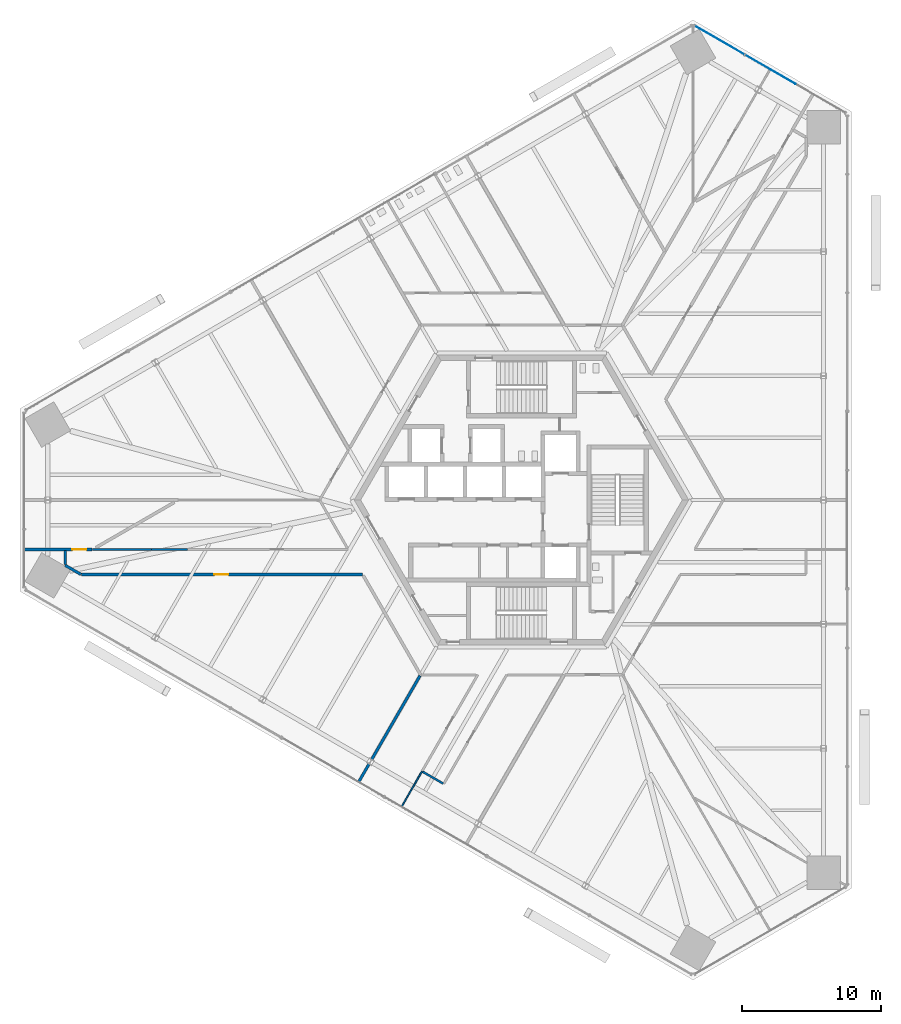
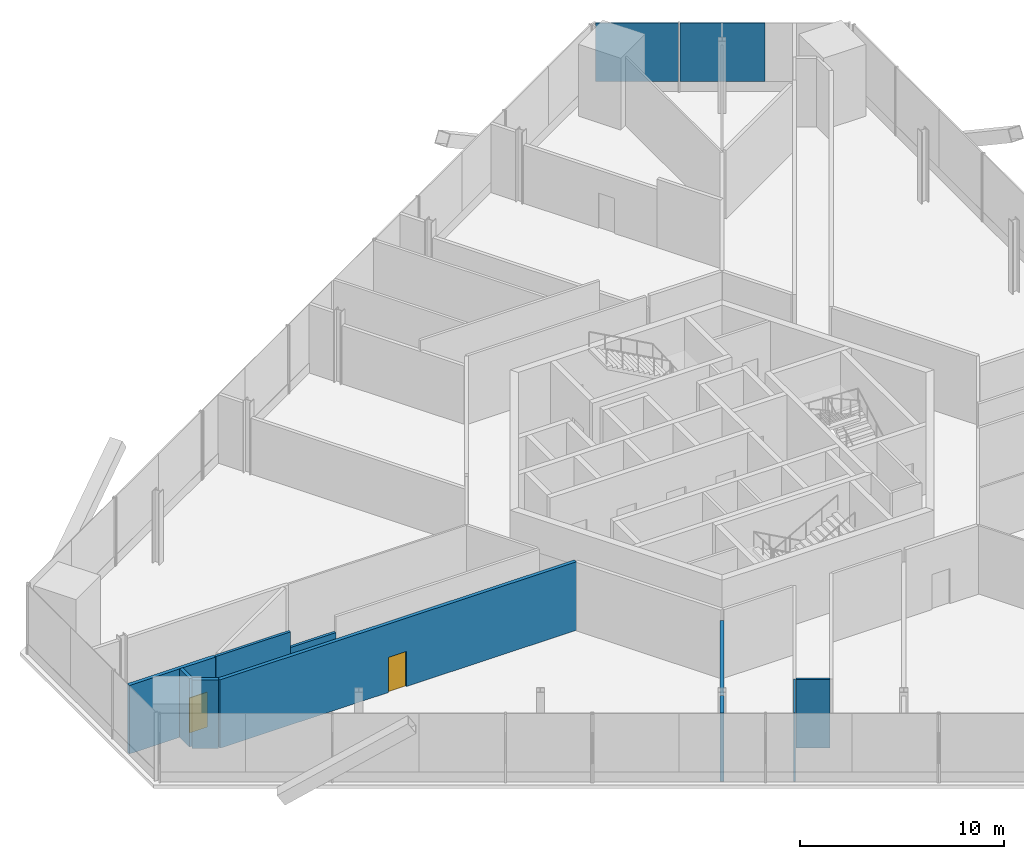
# One storey, part 10 of 16: 10 walls, 2 doors, 2 plates, 2 openings, 1 element without a shape of its own.
"""IFC4 building model written with IfcOpenShell, lengths in metres."""

from ifc_helpers import new_model, si_unit, direction, frame, frame_2d, origin, origin_2d, place, context, subcontext, project, spatial, rectangle, extrude, source, transform, mapped, material, layer, layer_set, type_object, element, fill, aggregate, save


model = new_model("IFC4")

# Units and contexts
model_context = context("Model", 3, precision=1e-05, world=origin(), true_north=direction((0.0, 1.0)))
body_context = subcontext(model_context, "Body", "Model", "MODEL_VIEW")
ifc_project = project(units=[si_unit("LENGTHUNIT", "METRE"), si_unit("AREAUNIT", "SQUARE_METRE"), si_unit("VOLUMEUNIT", "CUBIC_METRE"), si_unit("PLANEANGLEUNIT", "RADIAN"), si_unit("MASSUNIT", "GRAM", prefix="KILO")], contexts=[model_context])

# Site, building, storey
site_placement = place(None, origin())
site = spatial("IfcSite", under=ifc_project, at=site_placement, CompositionType="ELEMENT")
building_placement = place(site_placement, origin())
building = spatial("IfcBuilding", under=site, at=building_placement, Name="Triune Harvest Tower", CompositionType="ELEMENT")
storey_placement = place(building_placement, frame((0.0, 0.0, 20.300048828125)))
storey = spatial("IfcBuildingStorey", under=building, at=storey_placement, Name="L04", CompositionType="ELEMENT", Elevation=20.300048828125)

# Curtain wall, plates
ifc_material_1 = material(Name="Aluminium bronze anodised", Category="aluminium")
curtain_wall_type = type_object("IfcCurtainWallType", Name="CW-3 Farm floor curtain wall", PredefinedType="NOTDEFINED", material=ifc_material_1)
curtain_wall_placement = place(storey_placement, origin())
curtain_wall = element("IfcCurtainWall", 1, at=curtain_wall_placement, inside=storey, type_object=curtain_wall_type, Name="CW-3 B1-F2 L04 run 1")
ifc_material_2 = material(Name="Glass", Category="glass")
ifc_layer_1 = layer(ifc_material_2, 0.035888671875)
ifc_layer_set_1 = layer_set([ifc_layer_1], Name="Glass")
plate_type = type_object("IfcPlateType", Name="GL-3 panel 36", PredefinedType="CURTAIN_PANEL", material=ifc_layer_set_1)
shared_shape_1 = source(origin(), body_context, "Body", "SweptSolid", [
    extrude(rectangle(XDim=4.157958984375, YDim=0.035888671875, at=origin_2d()), origin(), (0.0, 0.0, 1.0), 3.5),
])
plate_1_placement = place(storey_placement, frame((17.857666015625, 30.89013671875, 0.599853515625), z_axis=(0.0, 0.0, 1.0), x_axis=(-0.866026145592, 0.499998715149, 0.0)))
plate_1 = element("IfcPlate", 2, at=plate_1_placement, type_object=plate_type, Name="CW-3 panel B1-F2 1.2", PredefinedType="CURTAIN_PANEL", context=body_context, shape_type="MappedRepresentation", body=[
    mapped(shared_shape_1, transform((0.0, 0.0, 0.0), scale=1.0)),
])
shared_shape_2 = source(origin(), body_context, "Body", "SweptSolid", [
    extrude(rectangle(XDim=4.077880859375, YDim=0.035888671875, at=origin_2d()), origin(), (0.0, 0.0, 1.0), 3.5),
])
plate_2_placement = place(storey_placement, frame((14.22216796875, 32.989013671875, 0.599853515625), z_axis=(0.0, 0.0, 1.0), x_axis=(-0.866026145592, 0.499998715149, 0.0)))
plate_2 = element("IfcPlate", 3, at=plate_2_placement, type_object=plate_type, Name="CW-3 panel B1-F2 1.3", PredefinedType="CURTAIN_PANEL", context=body_context, shape_type="MappedRepresentation", body=[
    mapped(shared_shape_2, transform((0.0, 0.0, 0.0), scale=1.0)),
])
aggregate(curtain_wall, [plate_1, plate_2])

# Walls
ifc_material_3 = material(Name="Gypsum board on steel studs", Category="steel")
ifc_layer_2 = layer(ifc_material_3, 0.199951171875)
ifc_layer_set_2 = layer_set([ifc_layer_2], Name="Gypsum board on steel studs")
wall_type_1 = type_object("IfcWallType", Name="Fire Wall 200 mm", PredefinedType="PARTITIONING", material=ifc_layer_set_2)
shared_shape_3 = source(origin(), body_context, "Body", "SweptSolid", [
    extrude(rectangle(XDim=1.49853515625, YDim=0.199951171875, at=frame_2d((0.749267578125, 0.0))), origin(), (0.0, 0.0, 1.0), 4.099853515625),
])
wall_1_placement = place(storey_placement, frame((-11.685546875, -20.240234375, 0.0), z_axis=(0.0, 0.0, 1.0), x_axis=(0.499976292358, 0.866039090965, 0.0)))
element("IfcWall", 4, at=wall_1_placement, inside=storey, type_object=wall_type_1, Name="Partition L04 054", PredefinedType="PARTITIONING", context=body_context, shape_type="MappedRepresentation", body=[
    mapped(shared_shape_3, transform((0.0, 0.0, 0.0), scale=1.0)),
])
shared_shape_4 = source(origin(), body_context, "Body", "SweptSolid", [
    extrude(rectangle(XDim=6.933837890625, YDim=0.199951171875, at=frame_2d((3.466796875, 0.0))), origin(), (0.0, 0.0, 1.0), 3.48779296875),
])
wall_2_placement = place(storey_placement, frame((-10.7431640625, -18.607666015625, 0.0), z_axis=(0.0, 0.0, 1.0), x_axis=(0.499986605379, 0.866033137035, 0.0)))
element("IfcWall", 5, at=wall_2_placement, inside=storey, type_object=wall_type_1, Name="Partition L04 055", PredefinedType="PARTITIONING", context=body_context, shape_type="MappedRepresentation", body=[
    mapped(shared_shape_4, transform((0.0, 0.0, 0.0), scale=1.0)),
])
shared_shape_5 = source(origin(), body_context, "Body", "SweptSolid", [
    extrude(rectangle(XDim=1.303466796875, YDim=0.199951171875, at=frame_2d((0.65185546875, 0.0))), origin(), (0.0, 0.0, 1.0), 4.099853515625),
])
wall_3_placement = place(storey_placement, frame((-32.73828125, -4.68798828125, 0.0), z_axis=(0.0, 0.0, 1.0), x_axis=(0.865951608824, -0.500127794843, 0.0)))
element("IfcWall", 6, at=wall_3_placement, inside=storey, type_object=wall_type_1, Name="Partition L04 017", PredefinedType="PARTITIONING", context=body_context, shape_type="MappedRepresentation", body=[
    mapped(shared_shape_5, transform((0.0, 0.0, 0.0), scale=1.0)),
])
ifc_material_4 = material(Name="Gypsum board on steel studs", Category="steel")
ifc_layer_3 = layer(ifc_material_4, 0.14990234375)
ifc_layer_set_3 = layer_set([ifc_layer_3], Name="Gypsum board on steel studs")
wall_type_2 = type_object("IfcWallType", Name="Fire Partition 150 mm", PredefinedType="PARTITIONING", material=ifc_layer_set_3)
shared_shape_6 = source(origin(), body_context, "Body", "SweptSolid", [
    extrude(rectangle(XDim=1.689697265625, YDim=0.14990234375, at=frame_2d((0.8447265625, 0.0))), origin(), (0.0, 0.0, 1.0), 4.099853515625),
])
wall_4_placement = place(storey_placement, frame((-7.084228515625, -19.500244140625, 0.0), z_axis=(0.0, 0.0, 1.0), x_axis=(0.866002725405, -0.500039278049, 0.0)))
element("IfcWall", 7, at=wall_4_placement, inside=storey, type_object=wall_type_2, Name="Partition L04 018", PredefinedType="PARTITIONING", context=body_context, shape_type="MappedRepresentation", body=[
    mapped(shared_shape_6, transform((0.0, 0.0, 0.0), scale=1.0)),
])
shared_shape_7 = source(origin(), body_context, "Body", "SweptSolid", [
    extrude(rectangle(XDim=0.9833984375, YDim=0.199951171875, at=frame_2d((0.49169921875, 0.0))), origin(), (0.0, 0.0, 1.0), 4.099853515625),
])
wall_5_placement = place(storey_placement, frame((-32.738525390625, -4.618408203125, 0.0), z_axis=(0.0, 0.0, 1.0), x_axis=(0.0, 1.0, 0.0)))
element("IfcWall", 8, at=wall_5_placement, inside=storey, type_object=wall_type_1, Name="Partition L04 065", PredefinedType="PARTITIONING", context=body_context, shape_type="MappedRepresentation", body=[
    mapped(shared_shape_7, transform((0.0, 0.0, 0.0), scale=1.0)),
])

# Wall, opening, door
shared_shape_8 = source(origin(), body_context, "Body", "SweptSolid", [
    extrude(rectangle(XDim=20.193115234375, YDim=0.199951171875, at=frame_2d((10.0966796875, 0.0))), origin(), (0.0, 0.0, 1.0), 4.099853515625),
])
wall_6_placement = place(storey_placement, frame((-31.583984375, -5.35498046875, 0.0), z_axis=(0.0, 0.0, 1.0), x_axis=(1.0, 0.0, 0.0)))
wall_6 = element("IfcWall", 9, at=wall_6_placement, inside=storey, type_object=wall_type_1, Name="Partition L04 027", PredefinedType="PARTITIONING", context=body_context, shape_type="MappedRepresentation", body=[
    mapped(shared_shape_8, transform((0.0, 0.0, 0.0), scale=1.0)),
])
opening_1_placement = place(wall_6_placement, frame((9.548095703125, 0.0, 0.0)))
opening_1 = element("IfcOpeningElement", 10, at=opening_1_placement, cuts=wall_6, Name="Opening L04-018", PredefinedType="OPENING", context=body_context, shape_type="SweptSolid", body=[
    extrude(rectangle(XDim=1.0, YDim=2.10009765625, at=frame_2d((0.5, 1.050048828125))), frame((0.0, 0.10986328125, 0.0), z_axis=(0.0, -1.0, 0.0), x_axis=(1.0, 0.0, 0.0)), (0.0, 0.0, 1.0), 0.219970703125),
])
ifc_material_5 = material(Name="Timber and steel door set", Category="steel")
door_type = type_object("IfcDoorType", Name="Wide single leaf door FD60 right hand 1000 x 2100", OperationType="SINGLE_SWING_RIGHT", PredefinedType="DOOR", material=ifc_material_5)
door_1_placement = place(opening_1_placement, origin())
door_1 = element("IfcDoor", 11, at=door_1_placement, inside=storey, type_object=door_type, Name="Door L04-018 Growing Room 04.18", OperationType="SINGLE_SWING_RIGHT", OverallHeight=2.10009765625, OverallWidth=1.0, PredefinedType="DOOR", context=body_context, shape_type="SweptSolid", body=[
    extrude(rectangle(XDim=1.0, YDim=2.10009765625, at=frame_2d((0.5, 1.050048828125))), frame((0.0, 0.02490234375, 0.0), z_axis=(0.0, -1.0, 0.0), x_axis=(1.0, 0.0, 0.0)), (0.0, 0.0, 1.0), 0.050048828125),
])
fill(opening_1, door_1)

shared_shape_9 = source(origin(), body_context, "Body", "SweptSolid", [
    extrude(rectangle(XDim=4.87060546875, YDim=0.199951171875, at=frame_2d((2.435302734375, 0.0))), origin(), (0.0, 0.0, 1.0), 4.099853515625),
])
wall_7_placement = place(storey_placement, frame((-35.680419921875, -3.554931640625, 0.0), z_axis=(0.0, 0.0, 1.0), x_axis=(1.0, 0.0, 0.0)))
wall_7 = element("IfcWall", 12, at=wall_7_placement, inside=storey, type_object=wall_type_1, Name="Partition L04 029", PredefinedType="PARTITIONING", context=body_context, shape_type="MappedRepresentation", body=[
    mapped(shared_shape_9, transform((0.0, 0.0, 0.0), scale=1.0)),
])
opening_2_placement = place(wall_7_placement, frame((3.454833984375, 0.0, 0.0)))
opening_2 = element("IfcOpeningElement", 13, at=opening_2_placement, cuts=wall_7, Name="Opening L04-016", PredefinedType="OPENING", context=body_context, shape_type="SweptSolid", body=[
    extrude(rectangle(XDim=1.0, YDim=2.10009765625, at=frame_2d((0.5, 1.050048828125))), frame((0.0, 0.10986328125, 0.0), z_axis=(0.0, -1.0, 0.0), x_axis=(1.0, 0.0, 0.0)), (0.0, 0.0, 1.0), 0.219970703125),
])
door_2_placement = place(opening_2_placement, origin())
door_2 = element("IfcDoor", 14, at=door_2_placement, inside=storey, type_object=door_type, Name="Door L04-016 Growing Room 04.16", OperationType="SINGLE_SWING_RIGHT", OverallHeight=2.10009765625, OverallWidth=1.0, PredefinedType="DOOR", context=body_context, shape_type="SweptSolid", body=[
    extrude(rectangle(XDim=1.0, YDim=2.10009765625, at=frame_2d((0.5, 1.050048828125))), frame((0.0, 0.02490234375, 0.0), z_axis=(0.0, -1.0, 0.0), x_axis=(1.0, 0.0, 0.0)), (0.0, 0.0, 1.0), 0.050048828125),
])
fill(opening_2, door_2)

# Walls
shared_shape_10 = source(origin(), body_context, "Body", "SweptSolid", [
    extrude(rectangle(XDim=4.23974609375, YDim=0.14990234375, at=frame_2d((2.119873046875, 0.0))), origin(), (0.0, 0.0, 1.0), 4.099853515625),
])
wall_8_placement = place(storey_placement, frame((-30.769775390625, -3.554931640625, 0.0), z_axis=(0.0, 0.0, 1.0), x_axis=(1.0, 0.0, 0.0)))
element("IfcWall", 15, at=wall_8_placement, inside=storey, type_object=wall_type_2, Name="Partition L04 030", PredefinedType="PARTITIONING", context=body_context, shape_type="MappedRepresentation", body=[
    mapped(shared_shape_10, transform((0.0, 0.0, 0.0), scale=1.0)),
])
shared_shape_11 = source(origin(), body_context, "Body", "SweptSolid", [
    extrude(rectangle(XDim=2.552734375, YDim=0.14990234375, at=frame_2d((1.2763671875, 0.0))), origin(), (0.0, 0.0, 1.0), 3.157470703125),
])
wall_9_placement = place(storey_placement, frame((-26.530029296875, -3.554931640625, 0.0), z_axis=(0.0, 0.0, 1.0), x_axis=(1.0, 0.0, 0.0)))
element("IfcWall", 16, at=wall_9_placement, inside=storey, type_object=wall_type_2, Name="Partition L04 030a", PredefinedType="PARTITIONING", context=body_context, shape_type="MappedRepresentation", body=[
    mapped(shared_shape_11, transform((0.0, 0.0, 0.0), scale=1.0)),
])
ifc_material_6 = material(Name="Gypsum board on steel studs", Category="steel")
ifc_layer_4 = layer(ifc_material_6, 0.10009765625)
ifc_layer_set_4 = layer_set([ifc_layer_4], Name="Gypsum board on steel studs")
wall_type_3 = type_object("IfcWallType", Name="Partition 100 mm", PredefinedType="PARTITIONING", material=ifc_layer_set_4)
shared_shape_12 = source(origin(), body_context, "Body", "SweptSolid", [
    extrude(rectangle(XDim=2.94091796875, YDim=0.10009765625, at=frame_2d((1.470458984375, 0.0))), origin(), (0.0, 0.0, 1.0), 4.099853515625),
])
wall_10_placement = place(storey_placement, frame((-8.60693359375, -22.017578125, 0.0), z_axis=(0.0, 0.0, 1.0), x_axis=(0.500005104963, 0.866022456413, 0.0)))
element("IfcWall", 17, at=wall_10_placement, inside=storey, type_object=wall_type_3, Name="Partition L04 049", PredefinedType="PARTITIONING", context=body_context, shape_type="MappedRepresentation", body=[
    mapped(shared_shape_12, transform((0.0, 0.0, 0.0), scale=1.0)),
])

save(model, "model.ifc")
